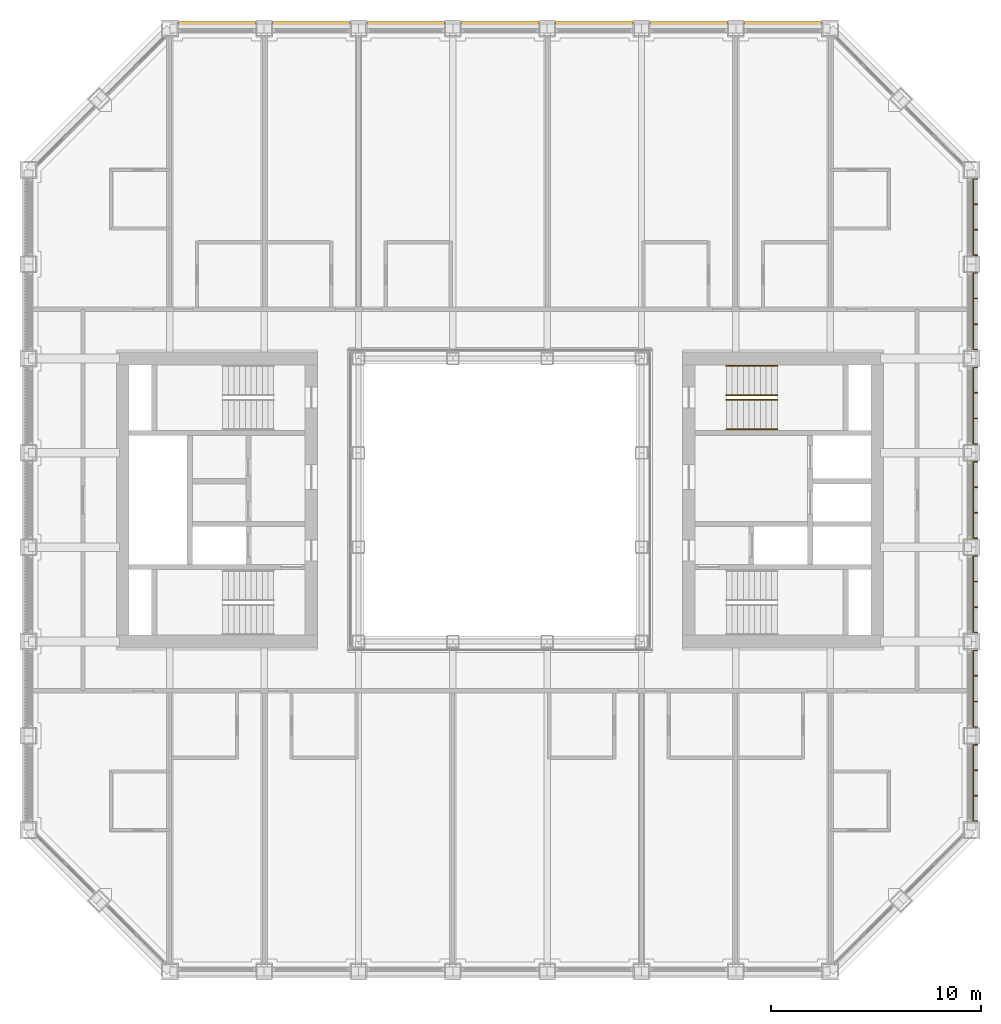
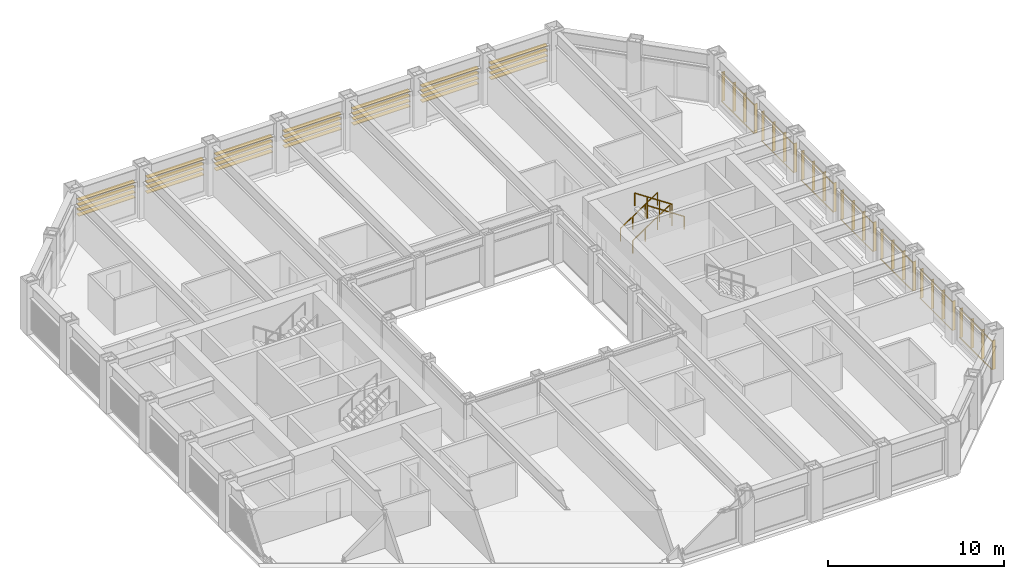
# One storey, part 17 of 17: 4 railings, 2 shading devices.
"""IFC4 building model written with IfcOpenShell, lengths in metres."""

from ifc_helpers import new_model, si_unit, direction, frame, origin, origin_2d, place, context, subcontext, project, spatial, rectangle, circle, extrude, material, type_object, element, save


model = new_model("IFC4")

# Units and contexts
model_context = context("Model", 3, precision=1e-05, world=origin(), true_north=direction((0.0, 1.0)))
body_context = subcontext(model_context, "Body", "Model", "MODEL_VIEW")
ifc_project = project(units=[si_unit("LENGTHUNIT", "METRE"), si_unit("AREAUNIT", "SQUARE_METRE"), si_unit("VOLUMEUNIT", "CUBIC_METRE"), si_unit("PLANEANGLEUNIT", "RADIAN"), si_unit("MASSUNIT", "GRAM", prefix="KILO")], contexts=[model_context])

# Site, building, storey
site_placement = place(None, origin())
site = spatial("IfcSite", under=ifc_project, at=site_placement, CompositionType="ELEMENT")
building_placement = place(site_placement, origin())
building = spatial("IfcBuilding", under=site, at=building_placement, Name="Msasa Ring Tower", CompositionType="ELEMENT")
storey_placement = place(building_placement, frame((0.0, 0.0, 136.39990234375)))
storey = spatial("IfcBuildingStorey", under=building, at=storey_placement, Name="L35", CompositionType="ELEMENT", Elevation=136.39990234375)

# Shading device
ifc_material_1 = material(Name="Extruded terracotta on aluminium carriers", Category="masonry")
shading_device_type_1 = type_object("IfcShadingDeviceType", Name="BS2 TERRACOTTA FIN SCREEN 40x200 AT 1350", PredefinedType="USERDEFINED", material=ifc_material_1)
shading_device_1_placement = place(storey_placement, origin())
element("IfcShadingDevice", 1, at=shading_device_1_placement, inside=storey, type_object=shading_device_type_1, Name="Terracotta fin screen E L35", ObjectType="BAGUETTE", PredefinedType="USERDEFINED", context=body_context, shape_type="SweptSolid", body=[
    extrude(rectangle(XDim=0.06005859375, YDim=0.0400390625, at=origin_2d()), frame((22.580078125, -15.35009765625, 0.330078125), z_axis=(0.0, 1.0, 0.0), x_axis=(0.0, 0.0, 1.0)), (0.0, 0.0, 1.0), 3.699951171875),
    extrude(rectangle(XDim=0.06005859375, YDim=0.0400390625, at=origin_2d()), frame((22.580078125, -15.35009765625, 2.299072265625), z_axis=(0.0, 1.0, 0.0), x_axis=(0.0, 0.0, 1.0)), (0.0, 0.0, 1.0), 3.699951171875),
    extrude(rectangle(XDim=0.0400390625, YDim=0.199951171875, at=origin_2d()), frame((22.695068359375, -15.330078125, 0.300048828125), z_axis=(0.0, 0.0, 1.0), x_axis=(0.0, 1.0, 0.0)), (0.0, 0.0, 1.0), 2.029052734375),
    extrude(rectangle(XDim=0.0400390625, YDim=0.199951171875, at=origin_2d()), frame((22.695068359375, -14.110107421875, 0.300048828125), z_axis=(0.0, 0.0, 1.0), x_axis=(0.0, 1.0, 0.0)), (0.0, 0.0, 1.0), 2.029052734375),
    extrude(rectangle(XDim=0.0400390625, YDim=0.199951171875, at=origin_2d()), frame((22.695068359375, -12.889892578125, 0.300048828125), z_axis=(0.0, 0.0, 1.0), x_axis=(0.0, 1.0, 0.0)), (0.0, 0.0, 1.0), 2.029052734375),
    extrude(rectangle(XDim=0.0400390625, YDim=0.199951171875, at=origin_2d()), frame((22.695068359375, -11.669921875, 0.300048828125), z_axis=(0.0, 0.0, 1.0), x_axis=(0.0, 1.0, 0.0)), (0.0, 0.0, 1.0), 2.029052734375),
    extrude(rectangle(XDim=0.06005859375, YDim=0.0400390625, at=origin_2d()), frame((22.580078125, -10.85009765625, 0.330078125), z_axis=(0.0, 1.0, 0.0), x_axis=(0.0, 0.0, 1.0)), (0.0, 0.0, 1.0), 3.699951171875),
    extrude(rectangle(XDim=0.06005859375, YDim=0.0400390625, at=origin_2d()), frame((22.580078125, -10.85009765625, 2.299072265625), z_axis=(0.0, 1.0, 0.0), x_axis=(0.0, 0.0, 1.0)), (0.0, 0.0, 1.0), 3.699951171875),
    extrude(rectangle(XDim=0.0400390625, YDim=0.199951171875, at=origin_2d()), frame((22.695068359375, -10.830078125, 0.300048828125), z_axis=(0.0, 0.0, 1.0), x_axis=(0.0, 1.0, 0.0)), (0.0, 0.0, 1.0), 2.029052734375),
    extrude(rectangle(XDim=0.0400390625, YDim=0.199951171875, at=origin_2d()), frame((22.695068359375, -9.610107421875, 0.300048828125), z_axis=(0.0, 0.0, 1.0), x_axis=(0.0, 1.0, 0.0)), (0.0, 0.0, 1.0), 2.029052734375),
    extrude(rectangle(XDim=0.0400390625, YDim=0.199951171875, at=origin_2d()), frame((22.695068359375, -8.389892578125, 0.300048828125), z_axis=(0.0, 0.0, 1.0), x_axis=(0.0, 1.0, 0.0)), (0.0, 0.0, 1.0), 2.029052734375),
    extrude(rectangle(XDim=0.0400390625, YDim=0.199951171875, at=origin_2d()), frame((22.695068359375, -7.169921875, 0.300048828125), z_axis=(0.0, 0.0, 1.0), x_axis=(0.0, 1.0, 0.0)), (0.0, 0.0, 1.0), 2.029052734375),
    extrude(rectangle(XDim=0.06005859375, YDim=0.0400390625, at=origin_2d()), frame((22.580078125, -6.35009765625, 0.330078125), z_axis=(0.0, 1.0, 0.0), x_axis=(0.0, 0.0, 1.0)), (0.0, 0.0, 1.0), 3.699951171875),
    extrude(rectangle(XDim=0.06005859375, YDim=0.0400390625, at=origin_2d()), frame((22.580078125, -6.35009765625, 2.299072265625), z_axis=(0.0, 1.0, 0.0), x_axis=(0.0, 0.0, 1.0)), (0.0, 0.0, 1.0), 3.699951171875),
    extrude(rectangle(XDim=0.0400390625, YDim=0.199951171875, at=origin_2d()), frame((22.695068359375, -6.330078125, 0.300048828125), z_axis=(0.0, 0.0, 1.0), x_axis=(0.0, 1.0, 0.0)), (0.0, 0.0, 1.0), 2.029052734375),
    extrude(rectangle(XDim=0.0400390625, YDim=0.199951171875, at=origin_2d()), frame((22.695068359375, -5.110107421875, 0.300048828125), z_axis=(0.0, 0.0, 1.0), x_axis=(0.0, 1.0, 0.0)), (0.0, 0.0, 1.0), 2.029052734375),
    extrude(rectangle(XDim=0.0400390625, YDim=0.199951171875, at=origin_2d()), frame((22.695068359375, -3.889892578125, 0.300048828125), z_axis=(0.0, 0.0, 1.0), x_axis=(0.0, 1.0, 0.0)), (0.0, 0.0, 1.0), 2.029052734375),
    extrude(rectangle(XDim=0.0400390625, YDim=0.199951171875, at=origin_2d()), frame((22.695068359375, -2.669921875, 0.300048828125), z_axis=(0.0, 0.0, 1.0), x_axis=(0.0, 1.0, 0.0)), (0.0, 0.0, 1.0), 2.029052734375),
    extrude(rectangle(XDim=0.06005859375, YDim=0.0400390625, at=origin_2d()), frame((22.580078125, -1.85009765625, 0.330078125), z_axis=(0.0, 1.0, 0.0), x_axis=(0.0, 0.0, 1.0)), (0.0, 0.0, 1.0), 3.699951171875),
    extrude(rectangle(XDim=0.06005859375, YDim=0.0400390625, at=origin_2d()), frame((22.580078125, -1.85009765625, 2.299072265625), z_axis=(0.0, 1.0, 0.0), x_axis=(0.0, 0.0, 1.0)), (0.0, 0.0, 1.0), 3.699951171875),
    extrude(rectangle(XDim=0.0400390625, YDim=0.199951171875, at=origin_2d()), frame((22.695068359375, -1.830078125, 0.300048828125), z_axis=(0.0, 0.0, 1.0), x_axis=(0.0, 1.0, 0.0)), (0.0, 0.0, 1.0), 2.029052734375),
    extrude(rectangle(XDim=0.0400390625, YDim=0.199951171875, at=origin_2d()), frame((22.695068359375, -0.610107421875, 0.300048828125), z_axis=(0.0, 0.0, 1.0), x_axis=(0.0, 1.0, 0.0)), (0.0, 0.0, 1.0), 2.029052734375),
    extrude(rectangle(XDim=0.0400390625, YDim=0.199951171875, at=origin_2d()), frame((22.695068359375, 0.610107421875, 0.300048828125), z_axis=(0.0, 0.0, 1.0), x_axis=(0.0, 1.0, 0.0)), (0.0, 0.0, 1.0), 2.029052734375),
    extrude(rectangle(XDim=0.0400390625, YDim=0.199951171875, at=origin_2d()), frame((22.695068359375, 1.830078125, 0.300048828125), z_axis=(0.0, 0.0, 1.0), x_axis=(0.0, 1.0, 0.0)), (0.0, 0.0, 1.0), 2.029052734375),
    extrude(rectangle(XDim=0.06005859375, YDim=0.0400390625, at=origin_2d()), frame((22.580078125, 2.64990234375, 0.330078125), z_axis=(0.0, 1.0, 0.0), x_axis=(0.0, 0.0, 1.0)), (0.0, 0.0, 1.0), 3.699951171875),
    extrude(rectangle(XDim=0.06005859375, YDim=0.0400390625, at=origin_2d()), frame((22.580078125, 2.64990234375, 2.299072265625), z_axis=(0.0, 1.0, 0.0), x_axis=(0.0, 0.0, 1.0)), (0.0, 0.0, 1.0), 3.699951171875),
    extrude(rectangle(XDim=0.0400390625, YDim=0.199951171875, at=origin_2d()), frame((22.695068359375, 2.669921875, 0.300048828125), z_axis=(0.0, 0.0, 1.0), x_axis=(0.0, 1.0, 0.0)), (0.0, 0.0, 1.0), 2.029052734375),
    extrude(rectangle(XDim=0.0400390625, YDim=0.199951171875, at=origin_2d()), frame((22.695068359375, 3.889892578125, 0.300048828125), z_axis=(0.0, 0.0, 1.0), x_axis=(0.0, 1.0, 0.0)), (0.0, 0.0, 1.0), 2.029052734375),
    extrude(rectangle(XDim=0.0400390625, YDim=0.199951171875, at=origin_2d()), frame((22.695068359375, 5.110107421875, 0.300048828125), z_axis=(0.0, 0.0, 1.0), x_axis=(0.0, 1.0, 0.0)), (0.0, 0.0, 1.0), 2.029052734375),
    extrude(rectangle(XDim=0.0400390625, YDim=0.199951171875, at=origin_2d()), frame((22.695068359375, 6.330078125, 0.300048828125), z_axis=(0.0, 0.0, 1.0), x_axis=(0.0, 1.0, 0.0)), (0.0, 0.0, 1.0), 2.029052734375),
    extrude(rectangle(XDim=0.06005859375, YDim=0.0400390625, at=origin_2d()), frame((22.580078125, 7.14990234375, 0.330078125), z_axis=(0.0, 1.0, 0.0), x_axis=(0.0, 0.0, 1.0)), (0.0, 0.0, 1.0), 3.699951171875),
    extrude(rectangle(XDim=0.06005859375, YDim=0.0400390625, at=origin_2d()), frame((22.580078125, 7.14990234375, 2.299072265625), z_axis=(0.0, 1.0, 0.0), x_axis=(0.0, 0.0, 1.0)), (0.0, 0.0, 1.0), 3.699951171875),
    extrude(rectangle(XDim=0.0400390625, YDim=0.199951171875, at=origin_2d()), frame((22.695068359375, 7.169921875, 0.300048828125), z_axis=(0.0, 0.0, 1.0), x_axis=(0.0, 1.0, 0.0)), (0.0, 0.0, 1.0), 2.029052734375),
    extrude(rectangle(XDim=0.0400390625, YDim=0.199951171875, at=origin_2d()), frame((22.695068359375, 8.389892578125, 0.300048828125), z_axis=(0.0, 0.0, 1.0), x_axis=(0.0, 1.0, 0.0)), (0.0, 0.0, 1.0), 2.029052734375),
    extrude(rectangle(XDim=0.0400390625, YDim=0.199951171875, at=origin_2d()), frame((22.695068359375, 9.610107421875, 0.300048828125), z_axis=(0.0, 0.0, 1.0), x_axis=(0.0, 1.0, 0.0)), (0.0, 0.0, 1.0), 2.029052734375),
    extrude(rectangle(XDim=0.0400390625, YDim=0.199951171875, at=origin_2d()), frame((22.695068359375, 10.830078125, 0.300048828125), z_axis=(0.0, 0.0, 1.0), x_axis=(0.0, 1.0, 0.0)), (0.0, 0.0, 1.0), 2.029052734375),
    extrude(rectangle(XDim=0.06005859375, YDim=0.0400390625, at=origin_2d()), frame((22.580078125, 11.64990234375, 0.330078125), z_axis=(0.0, 1.0, 0.0), x_axis=(0.0, 0.0, 1.0)), (0.0, 0.0, 1.0), 3.699951171875),
    extrude(rectangle(XDim=0.06005859375, YDim=0.0400390625, at=origin_2d()), frame((22.580078125, 11.64990234375, 2.299072265625), z_axis=(0.0, 1.0, 0.0), x_axis=(0.0, 0.0, 1.0)), (0.0, 0.0, 1.0), 3.699951171875),
    extrude(rectangle(XDim=0.0400390625, YDim=0.199951171875, at=origin_2d()), frame((22.695068359375, 11.669921875, 0.300048828125), z_axis=(0.0, 0.0, 1.0), x_axis=(0.0, 1.0, 0.0)), (0.0, 0.0, 1.0), 2.029052734375),
    extrude(rectangle(XDim=0.0400390625, YDim=0.199951171875, at=origin_2d()), frame((22.695068359375, 12.889892578125, 0.300048828125), z_axis=(0.0, 0.0, 1.0), x_axis=(0.0, 1.0, 0.0)), (0.0, 0.0, 1.0), 2.029052734375),
    extrude(rectangle(XDim=0.0400390625, YDim=0.199951171875, at=origin_2d()), frame((22.695068359375, 14.110107421875, 0.300048828125), z_axis=(0.0, 0.0, 1.0), x_axis=(0.0, 1.0, 0.0)), (0.0, 0.0, 1.0), 2.029052734375),
    extrude(rectangle(XDim=0.0400390625, YDim=0.199951171875, at=origin_2d()), frame((22.695068359375, 15.330078125, 0.300048828125), z_axis=(0.0, 0.0, 1.0), x_axis=(0.0, 1.0, 0.0)), (0.0, 0.0, 1.0), 2.029052734375),
])

# Railings
ifc_material_2 = material(Name="Stainless steel", Category="steel")
railing_type = type_object("IfcRailingType", Name="HR1 HANDRAIL 900", PredefinedType="HANDRAIL", material=ifc_material_2)
for number, where, name in (
    (2, (10.800048828125, 5.0, 0.18017578125), "Handrail stair SEB L35 1"),
    (3, (10.800048828125, 6.39990234375, 0.18017578125), "Handrail stair SEB L35 2"),
):
    element("IfcRailing", number, at=place(storey_placement, frame(where)), inside=storey, type_object=railing_type, Name=name, PredefinedType="HANDRAIL", context=body_context, shape_type="SweptSolid", body=[
        extrude(circle(Radius=0.02392578125, at=origin_2d()), frame((0.0, 0.0, 0.8759765625), z_axis=(0.832063155534, 0.0, 0.554680903946), x_axis=(0.0, 1.0, 0.0)), (0.0, 0.0, 1.0), 2.92041015625),
        extrude(circle(Radius=0.02099609375, at=origin_2d()), origin(), (0.0, 0.0, 1.0), 0.851806640625),
        extrude(circle(Radius=0.02099609375, at=origin_2d()), frame((0.81005859375, 0.0, 0.5400390625)), (0.0, 0.0, 1.0), 0.851806640625),
        extrude(circle(Radius=0.02099609375, at=origin_2d()), frame((1.619873046875, 0.0, 1.079833984375)), (0.0, 0.0, 1.0), 0.851806640625),
        extrude(circle(Radius=0.02099609375, at=origin_2d()), frame((2.429931640625, 0.0, 1.619873046875)), (0.0, 0.0, 1.0), 0.851806640625),
    ])
for number, where, name in (
    (4, (13.22998046875, 3.375, 1.97998046875), "Handrail stair SEB L35 3"),
    (5, (13.22998046875, 4.77490234375, 1.97998046875), "Handrail stair SEB L35 4"),
):
    element("IfcRailing", number, at=place(storey_placement, frame(where)), inside=storey, type_object=railing_type, Name=name, PredefinedType="HANDRAIL", context=body_context, shape_type="SweptSolid", body=[
        extrude(circle(Radius=0.02392578125, at=origin_2d()), frame((0.0, 0.0, 0.8759765625), z_axis=(-0.832024571796, 0.0, 0.554738778101), x_axis=(0.0, -1.0, 0.0)), (0.0, 0.0, 1.0), 2.92041015625),
        extrude(circle(Radius=0.02099609375, at=origin_2d()), origin(), (0.0, 0.0, 1.0), 0.851806640625),
        extrude(circle(Radius=0.02099609375, at=origin_2d()), frame((-0.81005859375, 0.0, 0.5400390625)), (0.0, 0.0, 1.0), 0.851806640625),
        extrude(circle(Radius=0.02099609375, at=origin_2d()), frame((-1.619873046875, 0.0, 1.080078125)), (0.0, 0.0, 1.0), 0.851806640625),
        extrude(circle(Radius=0.02099609375, at=origin_2d()), frame((-2.429931640625, 0.0, 1.6201171875)), (0.0, 0.0, 1.0), 0.851806640625),
    ])

# Shading device
ifc_material_3 = material(Name="Extruded terracotta blades", Category="masonry")
shading_device_type_2 = type_object("IfcShadingDeviceType", Name="SS1 TERRACOTTA SUNSHADE 4 BLADES 300x40 AT 350", PredefinedType="USERDEFINED", material=ifc_material_3)
shading_device_2_placement = place(storey_placement, origin())
element("IfcShadingDevice", 6, at=shading_device_2_placement, inside=storey, type_object=shading_device_type_2, Name="Terracotta sunshade N L35", ObjectType="SUNSHADE", PredefinedType="USERDEFINED", context=body_context, shape_type="SweptSolid", body=[
    extrude(rectangle(XDim=0.0400390625, YDim=0.300048828125, at=origin_2d()), frame((-15.35009765625, 22.679931640625, 2.30908203125), z_axis=(1.0, 0.0, 0.0), x_axis=(0.0, 0.0, 1.0)), (0.0, 0.0, 1.0), 3.699951171875),
    extrude(rectangle(XDim=0.0400390625, YDim=0.300048828125, at=origin_2d()), frame((-15.35009765625, 22.679931640625, 1.958984375), z_axis=(1.0, 0.0, 0.0), x_axis=(0.0, 0.0, 1.0)), (0.0, 0.0, 1.0), 3.699951171875),
    extrude(rectangle(XDim=0.0400390625, YDim=0.300048828125, at=origin_2d()), frame((-15.35009765625, 22.679931640625, 1.609130859375), z_axis=(1.0, 0.0, 0.0), x_axis=(0.0, 0.0, 1.0)), (0.0, 0.0, 1.0), 3.699951171875),
    extrude(rectangle(XDim=0.0400390625, YDim=0.300048828125, at=origin_2d()), frame((-15.35009765625, 22.679931640625, 1.259033203125), z_axis=(1.0, 0.0, 0.0), x_axis=(0.0, 0.0, 1.0)), (0.0, 0.0, 1.0), 3.699951171875),
    extrude(rectangle(XDim=0.0400390625, YDim=0.300048828125, at=origin_2d()), frame((-10.85009765625, 22.679931640625, 2.30908203125), z_axis=(1.0, 0.0, 0.0), x_axis=(0.0, 0.0, 1.0)), (0.0, 0.0, 1.0), 3.699951171875),
    extrude(rectangle(XDim=0.0400390625, YDim=0.300048828125, at=origin_2d()), frame((-10.85009765625, 22.679931640625, 1.958984375), z_axis=(1.0, 0.0, 0.0), x_axis=(0.0, 0.0, 1.0)), (0.0, 0.0, 1.0), 3.699951171875),
    extrude(rectangle(XDim=0.0400390625, YDim=0.300048828125, at=origin_2d()), frame((-10.85009765625, 22.679931640625, 1.609130859375), z_axis=(1.0, 0.0, 0.0), x_axis=(0.0, 0.0, 1.0)), (0.0, 0.0, 1.0), 3.699951171875),
    extrude(rectangle(XDim=0.0400390625, YDim=0.300048828125, at=origin_2d()), frame((-10.85009765625, 22.679931640625, 1.259033203125), z_axis=(1.0, 0.0, 0.0), x_axis=(0.0, 0.0, 1.0)), (0.0, 0.0, 1.0), 3.699951171875),
    extrude(rectangle(XDim=0.0400390625, YDim=0.300048828125, at=origin_2d()), frame((-6.35009765625, 22.679931640625, 2.30908203125), z_axis=(1.0, 0.0, 0.0), x_axis=(0.0, 0.0, 1.0)), (0.0, 0.0, 1.0), 3.699951171875),
    extrude(rectangle(XDim=0.0400390625, YDim=0.300048828125, at=origin_2d()), frame((-6.35009765625, 22.679931640625, 1.958984375), z_axis=(1.0, 0.0, 0.0), x_axis=(0.0, 0.0, 1.0)), (0.0, 0.0, 1.0), 3.699951171875),
    extrude(rectangle(XDim=0.0400390625, YDim=0.300048828125, at=origin_2d()), frame((-6.35009765625, 22.679931640625, 1.609130859375), z_axis=(1.0, 0.0, 0.0), x_axis=(0.0, 0.0, 1.0)), (0.0, 0.0, 1.0), 3.699951171875),
    extrude(rectangle(XDim=0.0400390625, YDim=0.300048828125, at=origin_2d()), frame((-6.35009765625, 22.679931640625, 1.259033203125), z_axis=(1.0, 0.0, 0.0), x_axis=(0.0, 0.0, 1.0)), (0.0, 0.0, 1.0), 3.699951171875),
    extrude(rectangle(XDim=0.0400390625, YDim=0.300048828125, at=origin_2d()), frame((-1.85009765625, 22.679931640625, 2.30908203125), z_axis=(1.0, 0.0, 0.0), x_axis=(0.0, 0.0, 1.0)), (0.0, 0.0, 1.0), 3.699951171875),
    extrude(rectangle(XDim=0.0400390625, YDim=0.300048828125, at=origin_2d()), frame((-1.85009765625, 22.679931640625, 1.958984375), z_axis=(1.0, 0.0, 0.0), x_axis=(0.0, 0.0, 1.0)), (0.0, 0.0, 1.0), 3.699951171875),
    extrude(rectangle(XDim=0.0400390625, YDim=0.300048828125, at=origin_2d()), frame((-1.85009765625, 22.679931640625, 1.609130859375), z_axis=(1.0, 0.0, 0.0), x_axis=(0.0, 0.0, 1.0)), (0.0, 0.0, 1.0), 3.699951171875),
    extrude(rectangle(XDim=0.0400390625, YDim=0.300048828125, at=origin_2d()), frame((-1.85009765625, 22.679931640625, 1.259033203125), z_axis=(1.0, 0.0, 0.0), x_axis=(0.0, 0.0, 1.0)), (0.0, 0.0, 1.0), 3.699951171875),
    extrude(rectangle(XDim=0.0400390625, YDim=0.300048828125, at=origin_2d()), frame((2.64990234375, 22.679931640625, 2.30908203125), z_axis=(1.0, 0.0, 0.0), x_axis=(0.0, 0.0, 1.0)), (0.0, 0.0, 1.0), 3.699951171875),
    extrude(rectangle(XDim=0.0400390625, YDim=0.300048828125, at=origin_2d()), frame((2.64990234375, 22.679931640625, 1.958984375), z_axis=(1.0, 0.0, 0.0), x_axis=(0.0, 0.0, 1.0)), (0.0, 0.0, 1.0), 3.699951171875),
    extrude(rectangle(XDim=0.0400390625, YDim=0.300048828125, at=origin_2d()), frame((2.64990234375, 22.679931640625, 1.609130859375), z_axis=(1.0, 0.0, 0.0), x_axis=(0.0, 0.0, 1.0)), (0.0, 0.0, 1.0), 3.699951171875),
    extrude(rectangle(XDim=0.0400390625, YDim=0.300048828125, at=origin_2d()), frame((2.64990234375, 22.679931640625, 1.259033203125), z_axis=(1.0, 0.0, 0.0), x_axis=(0.0, 0.0, 1.0)), (0.0, 0.0, 1.0), 3.699951171875),
    extrude(rectangle(XDim=0.0400390625, YDim=0.300048828125, at=origin_2d()), frame((7.14990234375, 22.679931640625, 2.30908203125), z_axis=(1.0, 0.0, 0.0), x_axis=(0.0, 0.0, 1.0)), (0.0, 0.0, 1.0), 3.699951171875),
    extrude(rectangle(XDim=0.0400390625, YDim=0.300048828125, at=origin_2d()), frame((7.14990234375, 22.679931640625, 1.958984375), z_axis=(1.0, 0.0, 0.0), x_axis=(0.0, 0.0, 1.0)), (0.0, 0.0, 1.0), 3.699951171875),
    extrude(rectangle(XDim=0.0400390625, YDim=0.300048828125, at=origin_2d()), frame((7.14990234375, 22.679931640625, 1.609130859375), z_axis=(1.0, 0.0, 0.0), x_axis=(0.0, 0.0, 1.0)), (0.0, 0.0, 1.0), 3.699951171875),
    extrude(rectangle(XDim=0.0400390625, YDim=0.300048828125, at=origin_2d()), frame((7.14990234375, 22.679931640625, 1.259033203125), z_axis=(1.0, 0.0, 0.0), x_axis=(0.0, 0.0, 1.0)), (0.0, 0.0, 1.0), 3.699951171875),
    extrude(rectangle(XDim=0.0400390625, YDim=0.300048828125, at=origin_2d()), frame((11.64990234375, 22.679931640625, 2.30908203125), z_axis=(1.0, 0.0, 0.0), x_axis=(0.0, 0.0, 1.0)), (0.0, 0.0, 1.0), 3.699951171875),
    extrude(rectangle(XDim=0.0400390625, YDim=0.300048828125, at=origin_2d()), frame((11.64990234375, 22.679931640625, 1.958984375), z_axis=(1.0, 0.0, 0.0), x_axis=(0.0, 0.0, 1.0)), (0.0, 0.0, 1.0), 3.699951171875),
    extrude(rectangle(XDim=0.0400390625, YDim=0.300048828125, at=origin_2d()), frame((11.64990234375, 22.679931640625, 1.609130859375), z_axis=(1.0, 0.0, 0.0), x_axis=(0.0, 0.0, 1.0)), (0.0, 0.0, 1.0), 3.699951171875),
    extrude(rectangle(XDim=0.0400390625, YDim=0.300048828125, at=origin_2d()), frame((11.64990234375, 22.679931640625, 1.259033203125), z_axis=(1.0, 0.0, 0.0), x_axis=(0.0, 0.0, 1.0)), (0.0, 0.0, 1.0), 3.699951171875),
])

save(model, "model.ifc")
